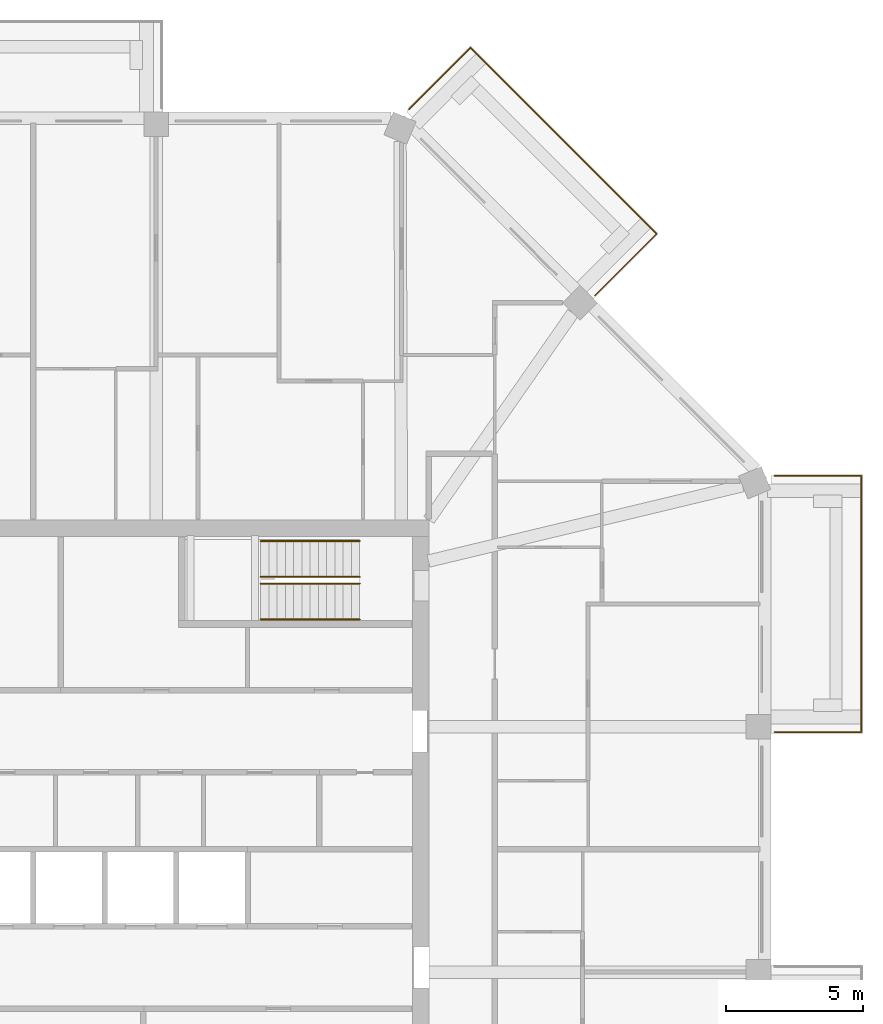
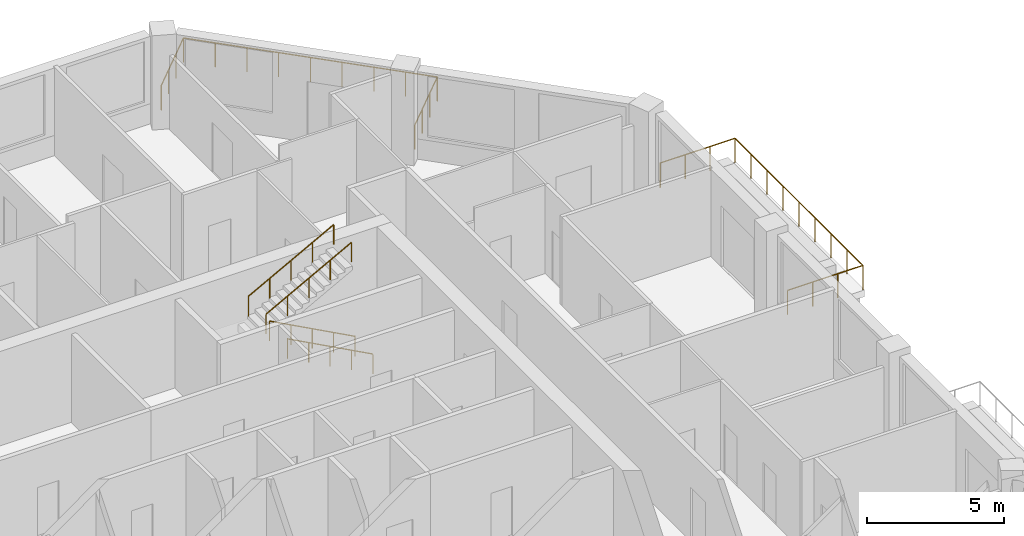
# One storey, part 12 of 12: 6 railings.
"""IFC4 building model written with IfcOpenShell, lengths in metres."""

import ifcopenshell
import ifcopenshell.guid

model = None  # the IFC model being written
_history = None  # IfcOwnerHistory: only IFC2X3 demands one
_inside = {}  # id of a spatial element -> (the spatial element, [elements in it])
_under = {}  # id of a project, library or spatial element -> (it, [spatial elements below it])
_declared = {}  # id of a project -> (the project, [libraries it declares])
_typed = {}  # id of a type object -> (the type object, [elements of that type])
_made_of = {}  # id of a material, layer set ... -> (it, [elements and type objects made of it])


def new_model(schema):
    """Start an empty IFC model of exactly this schema.

    Asked for "IFC4X3", IfcOpenShell would pick the latest addendum, in which some entities
    have other attributes; the version numbers below select the first issue.
    IFC2X3 requires an IfcOwnerHistory on every rooted entity: one is made here for all.
    """
    global model, _history
    if schema == "IFC4X3":
        model = ifcopenshell.file(schema_version=(4, 3, 0, 0))
    else:
        model = ifcopenshell.file(schema=schema)
    _inside.clear()
    _under.clear()
    _declared.clear()
    _typed.clear()
    _made_of.clear()
    _history = None
    if model.schema == "IFC2X3":
        org = make("IfcOrganization", Name="unknown")
        user = make(
            "IfcPersonAndOrganization",
            ThePerson=make("IfcPerson", FamilyName="unknown"),
            TheOrganization=org,
        )
        app = make(
            "IfcApplication",
            ApplicationDeveloper=org,
            Version="unknown",
            ApplicationFullName="unknown",
            ApplicationIdentifier="unknown",
        )
        _history = make(
            "IfcOwnerHistory",
            OwningUser=user,
            OwningApplication=app,
            ChangeAction="ADDED",
            CreationDate=0,
        )
    return model


def make(cls, **values):
    """One entity of the class cls with the attributes given. An attribute that is None is left unset."""
    return model.create_entity(
        cls, **{name: value for name, value in values.items() if value is not None}
    )


def rooted(cls, **values):
    """An entity with a GlobalId (a new one), such as an element, a storey or a relation."""
    return make(cls, GlobalId=ifcopenshell.guid.new(), OwnerHistory=_history, **values)


def si_unit(unit_type, name, prefix=None):
    """IfcSIUnit, for example si_unit("LENGTHUNIT", "METRE", prefix="MILLI")."""
    return make("IfcSIUnit", UnitType=unit_type, Prefix=prefix, Name=name)


def assignment(units):
    """IfcUnitAssignment: the units of a project."""
    return None if units is None else make("IfcUnitAssignment", Units=units)


def point(xyz):
    """IfcCartesianPoint."""
    return None if xyz is None else make("IfcCartesianPoint", Coordinates=xyz)


def direction(xyz):
    """IfcDirection."""
    return None if xyz is None else make("IfcDirection", DirectionRatios=xyz)


def frame(location, z_axis=None, x_axis=None):
    """IfcAxis2Placement3D, a coordinate frame: its origin and axes. An axis left out is left unset."""
    return make(
        "IfcAxis2Placement3D",
        Location=point(location),
        Axis=direction(z_axis),
        RefDirection=direction(x_axis),
    )


def frame_2d(location, x_axis=None):
    """IfcAxis2Placement2D, a coordinate frame in the plane: its origin and x axis."""
    return make(
        "IfcAxis2Placement2D", Location=point(location), RefDirection=direction(x_axis)
    )


def origin():
    """The frame at (0, 0, 0) with its axes left unset."""
    return frame((0.0, 0.0, 0.0))


def origin_2d():
    """The frame at (0, 0) in the plane with its x axis left unset."""
    return frame_2d((0.0, 0.0))


def place(relative_to, where):
    """IfcLocalPlacement: puts the frame where relative to a parent placement (None: the world)."""
    return make(
        "IfcLocalPlacement", PlacementRelTo=relative_to, RelativePlacement=where
    )


def context(
    kind, dimensions, precision=None, world=None, true_north=None, identifier=None
):
    """IfcGeometricRepresentationContext, for example the 3D "Model" context."""
    return make(
        "IfcGeometricRepresentationContext",
        ContextIdentifier=identifier,
        ContextType=kind,
        CoordinateSpaceDimension=dimensions,
        Precision=precision,
        WorldCoordinateSystem=world,
        TrueNorth=true_north,
    )


def subcontext(parent, identifier, kind, view, scale=None):
    """IfcGeometricRepresentationSubContext, for example "Body" below "Model"."""
    return make(
        "IfcGeometricRepresentationSubContext",
        ContextIdentifier=identifier,
        ContextType=kind,
        ParentContext=parent,
        TargetScale=scale,
        TargetView=view,
    )


def project(units=None, contexts=None):
    """IfcProject with its units and contexts."""
    return rooted(
        "IfcProject",
        Name="project",
        RepresentationContexts=contexts,
        UnitsInContext=assignment(units),
    )


def spatial(cls, under=None, at=None, **own):
    """A site, building, storey or space (cls), placed at a placement, below another one or the project."""
    s = rooted(cls, ObjectPlacement=at, **own)
    if under is not None:
        _under.setdefault(under.id(), (under, []))[1].append(s)
    return s


def profile(cls, at=None, kind="AREA", **sizes):
    """A parametric profile (cls). Its sizes go by their IFC names, for example OverallWidth=200.0."""
    return make(cls, ProfileType=kind, Position=at, **sizes)


def circle(**sizes):
    """IfcCircleProfileDef."""
    return profile("IfcCircleProfileDef", **sizes)


def extrude(swept, where, along, depth):
    """IfcExtrudedAreaSolid: the profile swept, set in the frame where, extruded along a direction by depth."""
    return make(
        "IfcExtrudedAreaSolid",
        SweptArea=swept,
        Position=where,
        ExtrudedDirection=direction(along),
        Depth=depth,
    )


def shape(context_of_items, identifier, shape_type, items):
    """IfcShapeRepresentation: the items that make up one representation, for example the "Body"."""
    return make(
        "IfcShapeRepresentation",
        ContextOfItems=context_of_items,
        RepresentationIdentifier=identifier,
        RepresentationType=shape_type,
        Items=items,
    )


def material(Name=None, Category=None):
    """IfcMaterial."""
    return make("IfcMaterial", Name=Name, Category=Category)


def constituent(of_material, Name=None, Category=None, fraction=None):
    """IfcMaterialConstituent: one of the materials an element consists of."""
    return make(
        "IfcMaterialConstituent",
        Name=Name,
        Material=of_material,
        Fraction=fraction,
        Category=Category,
    )


def constituent_set(constituents=None, Name=None):
    """IfcMaterialConstituentSet."""
    return make(
        "IfcMaterialConstituentSet", Name=Name, MaterialConstituents=constituents
    )


def made_of(thing, what):
    """Note that an element or type object is made of a material, layer set ...; save() writes the relation."""
    if what is not None:
        _made_of.setdefault(what.id(), (what, []))[1].append(thing)
    return thing


def type_object(cls, material=None, **own):
    """A type object (cls), such as IfcWallType, which elements share."""
    return made_of(rooted(cls, **own), material)


def element(
    cls,
    number,
    at=None,
    inside=None,
    cuts=None,
    type_object=None,
    material=None,
    context=None,
    identifier="Body",
    shape_type=None,
    held_by="IfcProductDefinitionShape",
    body=None,
    shapes=None,
    **own,
):
    """One element of the class cls, such as IfcWall. Its Tag is "e" and its number.

    at: its placement. inside: the storey or other place that contains it. cuts: it is an
    opening in that element (IfcRelVoidsElement). A single representation is given by context,
    identifier, shape_type and body (its items); several are given by shapes. held_by: the class
    of the entity that holds the representations. save() writes the other relations.
    """
    e = rooted(cls, Tag="e%d" % number, ObjectPlacement=at, **own)
    if body is not None:
        shapes = [shape(context, identifier, shape_type, body)]
    if shapes is not None:
        e.Representation = make(held_by, Representations=shapes)
    if inside is not None:
        _inside.setdefault(inside.id(), (inside, []))[1].append(e)
    if cuts is not None:
        rooted(
            "IfcRelVoidsElement", RelatingBuildingElement=cuts, RelatedOpeningElement=e
        )
    if type_object is not None:
        _typed.setdefault(type_object.id(), (type_object, []))[1].append(e)
    return made_of(e, material)


def aggregate(whole, parts):
    """IfcRelAggregates: a whole, such as a stair, and the parts it consists of."""
    return rooted("IfcRelAggregates", RelatingObject=whole, RelatedObjects=parts)


def save(model, path):
    """Write the relations noted so far, then the file.

    IfcRelAggregates (storeys below a building ...), IfcRelContainedInSpatialStructure (elements
    in a storey), IfcRelDefinesByType, IfcRelAssociatesMaterial and IfcRelDeclares: one each for
    every whole, place, type object, material and project.
    """
    for whole, parts in _under.values():
        aggregate(whole, parts)
    for where, things in _inside.values():
        rooted(
            "IfcRelContainedInSpatialStructure",
            RelatedElements=things,
            RelatingStructure=where,
        )
    for kind, things in _typed.values():
        rooted("IfcRelDefinesByType", RelatedObjects=things, RelatingType=kind)
    for what, things in _made_of.values():
        rooted("IfcRelAssociatesMaterial", RelatedObjects=things, RelatingMaterial=what)
    for by, libraries in _declared.values():
        rooted("IfcRelDeclares", RelatingContext=by, RelatedDefinitions=libraries)
    model.write(path)


model = new_model("IFC4")

# Units and contexts
model_context = context("Model", 3, precision=1e-05, world=origin(), true_north=direction((0.0, 1.0)))
body_context = subcontext(model_context, "Body", "Model", "MODEL_VIEW")
ifc_project = project(units=[si_unit("LENGTHUNIT", "METRE"), si_unit("AREAUNIT", "SQUARE_METRE"), si_unit("VOLUMEUNIT", "CUBIC_METRE"), si_unit("PLANEANGLEUNIT", "RADIAN"), si_unit("MASSUNIT", "GRAM", prefix="KILO")], contexts=[model_context])

# Site, building, storey
site_placement = place(None, origin())
site = spatial("IfcSite", under=ifc_project, at=site_placement, CompositionType="ELEMENT")
building_placement = place(site_placement, origin())
building = spatial("IfcBuilding", under=site, at=building_placement, Name="Msitu Wima Residences", CompositionType="ELEMENT")
storey_placement = place(building_placement, frame((0.0, 0.0, 272.699951171875)))
storey = spatial("IfcBuildingStorey", under=building, at=storey_placement, Name="L63", CompositionType="ELEMENT", Elevation=272.699951171875)

# Railings
ifc_material_1 = material(Name="Steel S355", Category="steel")
ifc_constituent_1 = constituent(ifc_material_1, Name="Steel S355")
ifc_material_2 = material(Name="Weathering patina")
ifc_constituent_2 = constituent(ifc_material_2, Name="Weathering patina")
ifc_constituent_set_1 = constituent_set(constituents=[ifc_constituent_1, ifc_constituent_2], Name="Steel S355")
railing_type_1 = type_object("IfcRailingType", Name="Balcony guard GR1100", PredefinedType="GUARDRAIL", material=ifc_constituent_set_1)
railing_1_placement = place(storey_placement, frame((26.97998046875, 13.592041015625, 0.0)))
element("IfcRailing", 1, at=railing_1_placement, inside=storey, type_object=railing_type_1, Name="Balcony guard E2 L63", PredefinedType="GUARDRAIL", context=body_context, shape_type="SweptSolid", body=[
    extrude(circle(Radius=0.02392578125, at=origin_2d()), frame((0.0, 0.0, 1.076171875), z_axis=(0.923276184907, 0.384136806859, 0.0), x_axis=(-0.384136806859, 0.923276184907, 0.0)), (0.0, 0.0, 1.0), 0.0361328125),
    extrude(circle(Radius=0.02392578125, at=origin_2d()), frame((0.033447265625, 0.013916015625, 1.076171875), z_axis=(1.0, 0.0, 0.0), x_axis=(0.0, 1.0, 0.0)), (0.0, 0.0, 1.0), 3.136474609375),
    extrude(circle(Radius=0.02392578125, at=origin_2d()), frame((3.169921875, 0.013916015625, 1.076171875), z_axis=(0.0, -1.0, 0.0), x_axis=(1.0, 0.0, 0.0)), (0.0, 0.0, 1.0), 9.33740234375),
    extrude(circle(Radius=0.02392578125, at=origin_2d()), frame((3.169921875, -9.323486328125, 1.076171875), z_axis=(-1.0, 0.0, 0.0), x_axis=(0.0, -1.0, 0.0)), (0.0, 0.0, 1.0), 3.169921875),
    extrude(circle(Radius=0.02099609375, at=origin_2d()), origin(), (0.0, 0.0, 1.0), 1.052001953125),
    extrude(circle(Radius=0.02099609375, at=origin_2d()), frame((0.033447265625, 0.013916015625, 0.0)), (0.0, 0.0, 1.0), 1.052001953125),
    extrude(circle(Radius=0.02099609375, at=origin_2d()), frame((1.078857421875, 0.013916015625, 0.0)), (0.0, 0.0, 1.0), 1.052001953125),
    extrude(circle(Radius=0.02099609375, at=origin_2d()), frame((2.12451171875, 0.013916015625, 0.0)), (0.0, 0.0, 1.0), 1.052001953125),
    extrude(circle(Radius=0.02099609375, at=origin_2d()), frame((3.169921875, 0.013916015625, 0.0)), (0.0, 0.0, 1.0), 1.052001953125),
    extrude(circle(Radius=0.02099609375, at=origin_2d()), frame((3.169921875, -1.1533203125, 0.0)), (0.0, 0.0, 1.0), 1.052001953125),
    extrude(circle(Radius=0.02099609375, at=origin_2d()), frame((3.169921875, -2.3203125, 0.0)), (0.0, 0.0, 1.0), 1.052001953125),
    extrude(circle(Radius=0.02099609375, at=origin_2d()), frame((3.169921875, -3.487548828125, 0.0)), (0.0, 0.0, 1.0), 1.052001953125),
    extrude(circle(Radius=0.02099609375, at=origin_2d()), frame((3.169921875, -4.65478515625, 0.0)), (0.0, 0.0, 1.0), 1.052001953125),
    extrude(circle(Radius=0.02099609375, at=origin_2d()), frame((3.169921875, -5.822021484375, 0.0)), (0.0, 0.0, 1.0), 1.052001953125),
    extrude(circle(Radius=0.02099609375, at=origin_2d()), frame((3.169921875, -6.9892578125, 0.0)), (0.0, 0.0, 1.0), 1.052001953125),
    extrude(circle(Radius=0.02099609375, at=origin_2d()), frame((3.169921875, -8.15625, 0.0)), (0.0, 0.0, 1.0), 1.052001953125),
    extrude(circle(Radius=0.02099609375, at=origin_2d()), frame((3.169921875, -9.323486328125, 0.0)), (0.0, 0.0, 1.0), 1.052001953125),
    extrude(circle(Radius=0.02099609375, at=origin_2d()), frame((2.11328125, -9.323486328125, 0.0)), (0.0, 0.0, 1.0), 1.052001953125),
    extrude(circle(Radius=0.02099609375, at=origin_2d()), frame((1.056640625, -9.323486328125, 0.0)), (0.0, 0.0, 1.0), 1.052001953125),
    extrude(circle(Radius=0.02099609375, at=origin_2d()), frame((0.0, -9.323486328125, 0.0)), (0.0, 0.0, 1.0), 1.052001953125),
])
railing_2_placement = place(storey_placement, frame((13.684326171875, 26.941650390625, 0.0)))
element("IfcRailing", 2, at=railing_2_placement, inside=storey, type_object=railing_type_1, Name="Balcony guard NE1 L63", PredefinedType="GUARDRAIL", context=body_context, shape_type="SweptSolid", body=[
    extrude(circle(Radius=0.02392578125, at=origin_2d()), frame((0.0, 0.0, 1.076171875), z_axis=(0.38176015442, 0.92426142649, 0.0), x_axis=(-0.92426142649, 0.38176015442, 0.0)), (0.0, 0.0, 1.0), 0.036376953125),
    extrude(circle(Radius=0.02392578125, at=origin_2d()), frame((0.013916015625, 0.03369140625, 1.076171875), z_axis=(0.707106781187, 0.707106781187, 0.0), x_axis=(-0.707106781187, 0.707106781187, 0.0)), (0.0, 0.0, 1.0), 3.136474609375),
    extrude(circle(Radius=0.02392578125, at=origin_2d()), frame((2.231689453125, 2.25146484375, 1.076171875), z_axis=(0.707106781187, -0.707106781187, 0.0), x_axis=(0.707106781187, 0.707106781187, 0.0)), (0.0, 0.0, 1.0), 9.58837890625),
    extrude(circle(Radius=0.02392578125, at=origin_2d()), frame((9.01171875, -4.528564453125, 1.076171875), z_axis=(-0.707106781187, -0.707106781187, 0.0), x_axis=(0.707106781187, -0.707106781187, 0.0)), (0.0, 0.0, 1.0), 3.169921875),
    extrude(circle(Radius=0.02099609375, at=origin_2d()), origin(), (0.0, 0.0, 1.0), 1.052001953125),
    extrude(circle(Radius=0.02099609375, at=origin_2d()), frame((0.013916015625, 0.03369140625, 0.0)), (0.0, 0.0, 1.0), 1.052001953125),
    extrude(circle(Radius=0.02099609375, at=origin_2d()), frame((0.753173828125, 0.77294921875, 0.0)), (0.0, 0.0, 1.0), 1.052001953125),
    extrude(circle(Radius=0.02099609375, at=origin_2d()), frame((1.492431640625, 1.51220703125, 0.0)), (0.0, 0.0, 1.0), 1.052001953125),
    extrude(circle(Radius=0.02099609375, at=origin_2d()), frame((2.231689453125, 2.25146484375, 0.0)), (0.0, 0.0, 1.0), 1.052001953125),
    extrude(circle(Radius=0.02099609375, at=origin_2d()), frame((3.0791015625, 1.404052734375, 0.0)), (0.0, 0.0, 1.0), 1.052001953125),
    extrude(circle(Radius=0.02099609375, at=origin_2d()), frame((3.9267578125, 0.556396484375, 0.0)), (0.0, 0.0, 1.0), 1.052001953125),
    extrude(circle(Radius=0.02099609375, at=origin_2d()), frame((4.774169921875, -0.291015625, 0.0)), (0.0, 0.0, 1.0), 1.052001953125),
    extrude(circle(Radius=0.02099609375, at=origin_2d()), frame((5.62158203125, -1.138671875, 0.0)), (0.0, 0.0, 1.0), 1.052001953125),
    extrude(circle(Radius=0.02099609375, at=origin_2d()), frame((6.46923828125, -1.986083984375, 0.0)), (0.0, 0.0, 1.0), 1.052001953125),
    extrude(circle(Radius=0.02099609375, at=origin_2d()), frame((7.316650390625, -2.83349609375, 0.0)), (0.0, 0.0, 1.0), 1.052001953125),
    extrude(circle(Radius=0.02099609375, at=origin_2d()), frame((8.164306640625, -3.68115234375, 0.0)), (0.0, 0.0, 1.0), 1.052001953125),
    extrude(circle(Radius=0.02099609375, at=origin_2d()), frame((9.01171875, -4.528564453125, 0.0)), (0.0, 0.0, 1.0), 1.052001953125),
    extrude(circle(Radius=0.02099609375, at=origin_2d()), frame((8.2646484375, -5.275634765625, 0.0)), (0.0, 0.0, 1.0), 1.052001953125),
    extrude(circle(Radius=0.02099609375, at=origin_2d()), frame((7.517333984375, -6.02294921875, 0.0)), (0.0, 0.0, 1.0), 1.052001953125),
    extrude(circle(Radius=0.02099609375, at=origin_2d()), frame((6.770263671875, -6.77001953125, 0.0)), (0.0, 0.0, 1.0), 1.052001953125),
])
ifc_constituent_3 = constituent(ifc_material_1, Name="Steel S355")
ifc_material_3 = material(Name="Black powder coating")
ifc_constituent_4 = constituent(ifc_material_3, Name="Black powder coating")
ifc_constituent_set_2 = constituent_set(constituents=[ifc_constituent_3, ifc_constituent_4], Name="Steel S355")
railing_type_2 = type_object("IfcRailingType", Name="Stair handrail HR1", PredefinedType="HANDRAIL", material=ifc_constituent_set_2)
for number, where, name in (
    (3, (11.875, 8.375, 0.16162109375), "Stair 3 handrail"),
    (4, (11.875, 9.675048828125, 0.16162109375), "Stair 3 handrail"),
):
    element("IfcRailing", number, at=place(storey_placement, frame(where)), inside=storey, type_object=railing_type_2, Name=name, PredefinedType="HANDRAIL", context=body_context, shape_type="SweptSolid", body=[
        extrude(circle(Radius=0.02392578125, at=origin_2d()), frame((0.0, 0.0, 0.8759765625), z_axis=(-0.880474934443, 0.0, 0.474092701714), x_axis=(0.0, -1.0, 0.0)), (0.0, 0.0, 1.0), 4.0888671875),
        extrude(circle(Radius=0.02099609375, at=origin_2d()), origin(), (0.0, 0.0, 1.0), 0.851806640625),
        extrude(circle(Radius=0.02099609375, at=origin_2d()), frame((-0.89990234375, 0.0, 0.484619140625)), (0.0, 0.0, 1.0), 0.851806640625),
        extrude(circle(Radius=0.02099609375, at=origin_2d()), frame((-1.800048828125, 0.0, 0.96923828125)), (0.0, 0.0, 1.0), 0.851806640625),
        extrude(circle(Radius=0.02099609375, at=origin_2d()), frame((-2.7001953125, 0.0, 1.453857421875)), (0.0, 0.0, 1.0), 0.851806640625),
        extrude(circle(Radius=0.02099609375, at=origin_2d()), frame((-3.60009765625, 0.0, 1.9384765625)), (0.0, 0.0, 1.0), 0.851806640625),
    ])
for number, where, name in (
    (5, (8.27490234375, 9.925048828125, 2.261474609375), "Stair 3 handrail"),
    (6, (8.27490234375, 11.22509765625, 2.261474609375), "Stair 3 handrail"),
):
    element("IfcRailing", number, at=place(storey_placement, frame(where)), inside=storey, type_object=railing_type_2, Name=name, PredefinedType="HANDRAIL", context=body_context, shape_type="SweptSolid", body=[
        extrude(circle(Radius=0.02392578125, at=origin_2d()), frame((0.0, 0.0, 0.8759765625), z_axis=(0.880474934443, 0.0, 0.474092701714), x_axis=(0.0, 1.0, 0.0)), (0.0, 0.0, 1.0), 4.0888671875),
        extrude(circle(Radius=0.02099609375, at=origin_2d()), origin(), (0.0, 0.0, 1.0), 0.851806640625),
        extrude(circle(Radius=0.02099609375, at=origin_2d()), frame((0.89990234375, 0.0, 0.484619140625)), (0.0, 0.0, 1.0), 0.851806640625),
        extrude(circle(Radius=0.02099609375, at=origin_2d()), frame((1.800048828125, 0.0, 0.96923828125)), (0.0, 0.0, 1.0), 0.851806640625),
        extrude(circle(Radius=0.02099609375, at=origin_2d()), frame((2.7001953125, 0.0, 1.453857421875)), (0.0, 0.0, 1.0), 0.851806640625),
        extrude(circle(Radius=0.02099609375, at=origin_2d()), frame((3.60009765625, 0.0, 1.9384765625)), (0.0, 0.0, 1.0), 0.851806640625),
    ])

save(model, "model.ifc")
